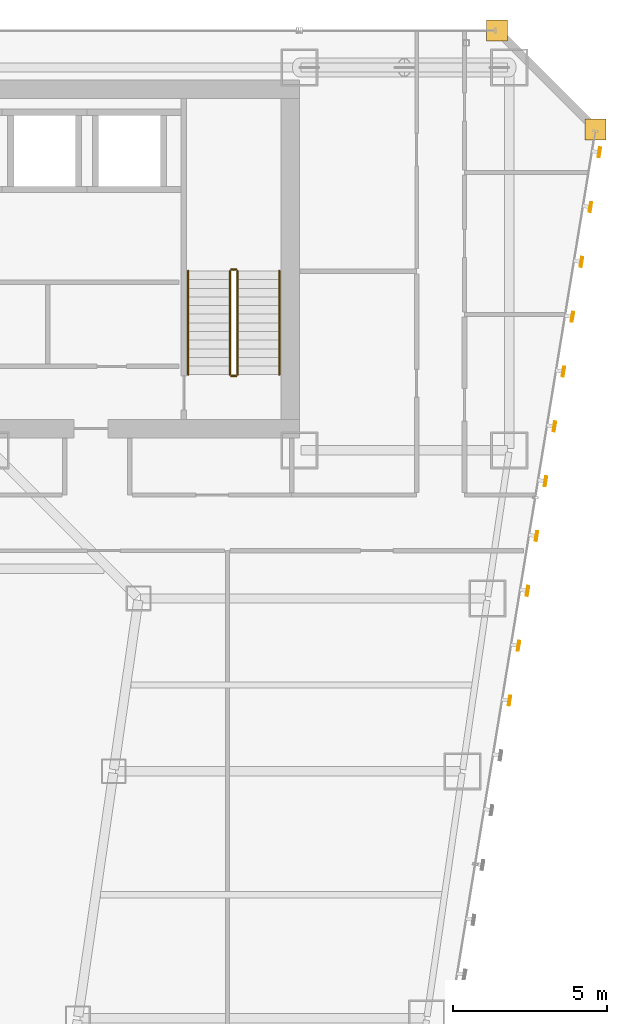
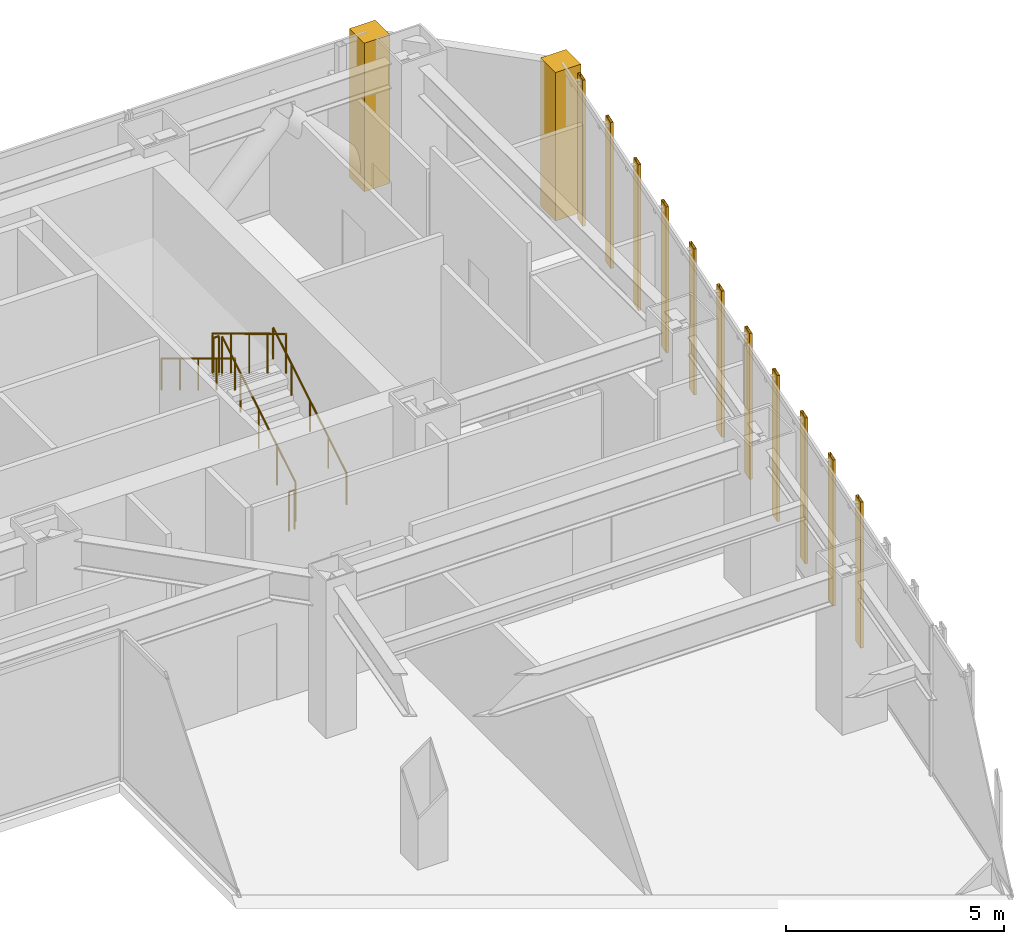
# One storey, part 47 of 47: 11 shading devices, 6 railings, 2 coverings.
"""IFC4 building model written with IfcOpenShell, lengths in metres."""

from ifc_helpers import new_model, si_unit, direction, frame, origin, origin_2d, place, context, subcontext, project, spatial, polyline, hollow_rectangle, circle, outline, extrude, material, layer, layer_set, material_profile, profile_set, type_object, element, save


model = new_model("IFC4")

# Units and contexts
model_context = context("Model", 3, precision=1e-05, world=origin(), true_north=direction((0.0, 1.0)))
body_context = subcontext(model_context, "Body", "Model", "MODEL_VIEW")
ifc_project = project(units=[si_unit("LENGTHUNIT", "METRE"), si_unit("AREAUNIT", "SQUARE_METRE"), si_unit("VOLUMEUNIT", "CUBIC_METRE"), si_unit("PLANEANGLEUNIT", "RADIAN"), si_unit("MASSUNIT", "GRAM", prefix="KILO")], contexts=[model_context])

# Site, building, storey
site_placement = place(None, origin())
site = spatial("IfcSite", under=ifc_project, at=site_placement, CompositionType="ELEMENT")
building_placement = place(site_placement, origin())
building = spatial("IfcBuilding", under=site, at=building_placement, Name="Saevonmaru Cultural Tower", CompositionType="ELEMENT")
storey_placement = place(building_placement, frame((0.0, 0.0, 51.60009765625)))
storey = spatial("IfcBuildingStorey", under=building, at=storey_placement, Name="L10", CompositionType="ELEMENT", Elevation=51.60009765625)

# Coverings
ifc_material_1 = material(Name="Satin Bronze Anodised Aluminium", Category="aluminium")
ifc_layer = layer(ifc_material_1, 0.679931640625, Name="Satin Bronze Anodised Aluminium")
ifc_layer_set = layer_set([ifc_layer], Name="Satin Bronze Anodised Aluminium")
covering_type = type_object("IfcCoveringType", Name="CV-CORNER-CLAD", PredefinedType="CLADDING", material=ifc_layer_set)
covering_1_placement = place(storey_placement, origin())
element("IfcCovering", 1, at=covering_1_placement, inside=storey, type_object=covering_type, Name="L10 Tower Bronze Corner Cladding Pier 9", PredefinedType="CLADDING", context=body_context, shape_type="SweptSolid", body=[
    extrude(outline(polyline([(55.659912109375, 52.4599609375), (56.340087890625, 52.4599609375), (56.340087890625, 53.139892578125), (55.659912109375, 53.139892578125), (55.659912109375, 52.4599609375)])), origin(), (0.0, 0.0, 1.0), 4.14990234375),
])
covering_2_placement = place(storey_placement, origin())
element("IfcCovering", 2, at=covering_2_placement, inside=storey, type_object=covering_type, Name="L10 Tower Bronze Corner Cladding Pier 10", PredefinedType="CLADDING", context=body_context, shape_type="SweptSolid", body=[
    extrude(outline(polyline([(52.4599609375, 55.659912109375), (53.139892578125, 55.659912109375), (53.139892578125, 56.340087890625), (52.4599609375, 56.340087890625), (52.4599609375, 55.659912109375)])), origin(), (0.0, 0.0, 1.0), 4.14990234375),
])

# Railings
ifc_material_2 = material(Name="Architectural Painted Steel", Category="steel")
railing_type_1 = type_object("IfcRailingType", Name="RL-STAIR-GUARD", PredefinedType="GUARDRAIL", material=ifc_material_2)
railing_1_placement = place(storey_placement, frame((44.39990234375, 44.85009765625, 0.169189453125)))
element("IfcRailing", 3, at=railing_1_placement, inside=storey, type_object=railing_type_1, Name="L10 ST-2 stair guard 1", PredefinedType="GUARDRAIL", context=body_context, shape_type="SweptSolid", body=[
    extrude(circle(Radius=0.02392578125, at=origin_2d()), frame((0.0, 0.0, 1.09619140625), z_axis=(0.0, 0.855820338506, 0.51727318527), x_axis=(-1.0, 0.0, 0.0)), (0.0, 0.0, 1.0), 3.92578125),
    extrude(circle(Radius=0.02099609375, at=origin_2d()), origin(), (0.0, 0.0, 1.0), 1.072021484375),
    extrude(circle(Radius=0.02099609375, at=origin_2d()), frame((0.0, 0.83984375, 0.5078125)), (0.0, 0.0, 1.0), 1.072021484375),
    extrude(circle(Radius=0.02099609375, at=origin_2d()), frame((0.0, 1.679931640625, 1.015380859375)), (0.0, 0.0, 1.0), 1.072021484375),
    extrude(circle(Radius=0.02099609375, at=origin_2d()), frame((0.0, 2.52001953125, 1.52294921875)), (0.0, 0.0, 1.0), 1.072021484375),
    extrude(circle(Radius=0.02099609375, at=origin_2d()), frame((0.0, 3.35986328125, 2.03076171875)), (0.0, 0.0, 1.0), 1.072021484375),
])
railing_2_placement = place(storey_placement, frame((44.35009765625, 48.260009765625, 2.199951171875)))
element("IfcRailing", 4, at=railing_2_placement, inside=storey, type_object=railing_type_1, Name="L10 ST-2 stair guard 2", PredefinedType="GUARDRAIL", context=body_context, shape_type="SweptSolid", body=[
    extrude(circle(Radius=0.02392578125, at=origin_2d()), frame((0.0, 0.0, 1.09619140625), z_axis=(-1.0, 0.0, 0.0), x_axis=(0.0, -1.0, 0.0)), (0.0, 0.0, 1.0), 0.150146484375),
    extrude(circle(Radius=0.02099609375, at=origin_2d()), origin(), (0.0, 0.0, 1.0), 1.072021484375),
    extrude(circle(Radius=0.02099609375, at=origin_2d()), frame((-0.150146484375, 0.0, 0.0)), (0.0, 0.0, 1.0), 1.072021484375),
])
railing_3_placement = place(storey_placement, frame((44.14990234375, 48.2099609375, 2.369140625)))
element("IfcRailing", 5, at=railing_3_placement, inside=storey, type_object=railing_type_1, Name="L10 ST-2 stair guard 3", PredefinedType="GUARDRAIL", context=body_context, shape_type="SweptSolid", body=[
    extrude(circle(Radius=0.02392578125, at=origin_2d()), frame((0.0, 0.0, 1.09619140625), z_axis=(0.0, -0.855820338506, 0.51727318527), x_axis=(1.0, 0.0, 0.0)), (0.0, 0.0, 1.0), 3.92578125),
    extrude(circle(Radius=0.02099609375, at=origin_2d()), origin(), (0.0, 0.0, 1.0), 1.072021484375),
    extrude(circle(Radius=0.02099609375, at=origin_2d()), frame((0.0, -0.83984375, 0.5078125)), (0.0, 0.0, 1.0), 1.072021484375),
    extrude(circle(Radius=0.02099609375, at=origin_2d()), frame((0.0, -1.679931640625, 1.015380859375)), (0.0, 0.0, 1.0), 1.072021484375),
    extrude(circle(Radius=0.02099609375, at=origin_2d()), frame((0.0, -2.52001953125, 1.52294921875)), (0.0, 0.0, 1.0), 1.072021484375),
    extrude(circle(Radius=0.02099609375, at=origin_2d()), frame((0.0, -3.35986328125, 2.03076171875)), (0.0, 0.0, 1.0), 1.072021484375),
])
railing_4_placement = place(storey_placement, frame((44.35009765625, 44.800048828125, 0.0)))
element("IfcRailing", 6, at=railing_4_placement, inside=storey, type_object=railing_type_1, Name="L10 ST-2 stair guard 4", PredefinedType="GUARDRAIL", context=body_context, shape_type="SweptSolid", body=[
    extrude(circle(Radius=0.02392578125, at=origin_2d()), frame((0.0, 0.0, 1.09619140625), z_axis=(-1.0, 0.0, 0.0), x_axis=(0.0, -1.0, 0.0)), (0.0, 0.0, 1.0), 0.150146484375),
    extrude(circle(Radius=0.02099609375, at=origin_2d()), origin(), (0.0, 0.0, 1.0), 1.072021484375),
    extrude(circle(Radius=0.02099609375, at=origin_2d()), frame((-0.150146484375, 0.0, 0.0)), (0.0, 0.0, 1.0), 1.072021484375),
])
railing_type_2 = type_object("IfcRailingType", Name="RL-STAIR-HANDRAIL", PredefinedType="HANDRAIL", material=ifc_material_1)
railing_5_placement = place(storey_placement, frame((45.75, 44.85009765625, 0.169189453125)))
element("IfcRailing", 7, at=railing_5_placement, inside=storey, type_object=railing_type_2, Name="L10 ST-2 stair handrail 1", PredefinedType="HANDRAIL", context=body_context, shape_type="SweptSolid", body=[
    extrude(circle(Radius=0.02392578125, at=origin_2d()), frame((0.0, 0.0, 0.8759765625), z_axis=(0.0, 0.855820338506, 0.51727318527), x_axis=(-1.0, 0.0, 0.0)), (0.0, 0.0, 1.0), 3.92578125),
    extrude(circle(Radius=0.02099609375, at=origin_2d()), origin(), (0.0, 0.0, 1.0), 0.851806640625),
    extrude(circle(Radius=0.02099609375, at=origin_2d()), frame((0.0, 0.83984375, 0.5078125)), (0.0, 0.0, 1.0), 0.851806640625),
    extrude(circle(Radius=0.02099609375, at=origin_2d()), frame((0.0, 1.679931640625, 1.015380859375)), (0.0, 0.0, 1.0), 0.851806640625),
    extrude(circle(Radius=0.02099609375, at=origin_2d()), frame((0.0, 2.52001953125, 1.52294921875)), (0.0, 0.0, 1.0), 0.851806640625),
    extrude(circle(Radius=0.02099609375, at=origin_2d()), frame((0.0, 3.35986328125, 2.03076171875)), (0.0, 0.0, 1.0), 0.851806640625),
])
railing_6_placement = place(storey_placement, frame((42.800048828125, 48.2099609375, 2.369140625)))
element("IfcRailing", 8, at=railing_6_placement, inside=storey, type_object=railing_type_2, Name="L10 ST-2 stair handrail 2", PredefinedType="HANDRAIL", context=body_context, shape_type="SweptSolid", body=[
    extrude(circle(Radius=0.02392578125, at=origin_2d()), frame((0.0, 0.0, 0.8759765625), z_axis=(0.0, -0.855820338506, 0.51727318527), x_axis=(1.0, 0.0, 0.0)), (0.0, 0.0, 1.0), 3.92578125),
    extrude(circle(Radius=0.02099609375, at=origin_2d()), origin(), (0.0, 0.0, 1.0), 0.851806640625),
    extrude(circle(Radius=0.02099609375, at=origin_2d()), frame((0.0, -0.83984375, 0.5078125)), (0.0, 0.0, 1.0), 0.851806640625),
    extrude(circle(Radius=0.02099609375, at=origin_2d()), frame((0.0, -1.679931640625, 1.015380859375)), (0.0, 0.0, 1.0), 0.851806640625),
    extrude(circle(Radius=0.02099609375, at=origin_2d()), frame((0.0, -2.52001953125, 1.52294921875)), (0.0, 0.0, 1.0), 0.851806640625),
    extrude(circle(Radius=0.02099609375, at=origin_2d()), frame((0.0, -3.35986328125, 2.03076171875)), (0.0, 0.0, 1.0), 0.851806640625),
])

# Shading devices
ifc_material_profile = material_profile(ifc_material_1, hollow_rectangle(XDim=0.070068359375, YDim=0.320068359375, WallThickness=0.0048828125, at=origin_2d()), Name="FIN-320x70")
ifc_profile_set = profile_set([ifc_material_profile], Name="Satin Bronze Anodised Aluminium")
shading_device_type = type_object("IfcShadingDeviceType", Name="SHD-FIN-320", PredefinedType="JALOUSIE", material=ifc_profile_set)
for number, where, z_axis, x_axis, name in (
    (9, (53.210205078125, 34.2900390625, 0.0498046875), (0.0, 0.0, 1.0), (0.986827496189, -0.161776057456, 0.0), "L10 Art Deco Sawtooth Bronze Fin E8-17"),
    (10, (53.501220703125, 36.06640625, 0.0498046875), (0.0, 0.0, 1.0), (0.986827496189, -0.161776057456, 0.0), "L10 Art Deco Sawtooth Bronze Fin E8-18"),
    (11, (53.792236328125, 37.8427734375, 0.0498046875), (0.0, 0.0, 1.0), (0.986827496189, -0.161776057456, 0.0), "L10 Art Deco Sawtooth Bronze Fin E8-19"),
    (12, (54.083251953125, 39.618896484375, 0.0498046875), (0.0, 0.0, 1.0), (0.986827496189, -0.161776057456, 0.0), "L10 Art Deco Sawtooth Bronze Fin E8-20"),
    (13, (54.37451171875, 41.3955078125, 0.0498046875), (0.0, 0.0, 1.0), (0.986827496189, -0.161776057456, 0.0), "L10 Art Deco Sawtooth Bronze Fin E8-21"),
    (14, (54.665283203125, 43.171630859375, 0.0498046875), (0.0, 0.0, 1.0), (0.986827496189, -0.161776057456, 0.0), "L10 Art Deco Sawtooth Bronze Fin E8-22"),
    (15, (54.95654296875, 44.947998046875, 0.0498046875), (0.0, 0.0, 1.0), (0.986827496189, -0.161776057456, 0.0), "L10 Art Deco Sawtooth Bronze Fin E8-23"),
    (16, (55.24755859375, 46.724365234375, 0.0498046875), (0.0, 0.0, 1.0), (0.986827496189, -0.161776057456, 0.0), "L10 Art Deco Sawtooth Bronze Fin E8-24"),
    (17, (55.538818359375, 48.50048828125, 0.0498046875), (0.0, 0.0, 1.0), (0.986827496189, -0.161776057456, 0.0), "L10 Art Deco Sawtooth Bronze Fin E8-25"),
    (18, (55.829833984375, 50.27685546875, 0.0498046875), (0.0, 0.0, 1.0), (0.986827496189, -0.161776057456, 0.0), "L10 Art Deco Sawtooth Bronze Fin E8-26"),
    (19, (56.120849609375, 52.05322265625, 0.0498046875), (0.0, 0.0, 1.0), (0.986827496189, -0.161776057456, 0.0), "L10 Art Deco Sawtooth Bronze Fin E8-27"),
):
    element("IfcShadingDevice", number, at=place(storey_placement, frame(where, z_axis=z_axis, x_axis=x_axis)), inside=storey, type_object=shading_device_type, Name=name, PredefinedType="JALOUSIE", context=body_context, shape_type="SweptSolid", body=[
        extrude(hollow_rectangle(XDim=0.070068359375, YDim=0.320068359375, WallThickness=0.0048828125, at=origin_2d()), origin(), (0.0, 0.0, 1.0), 4.080078125),
    ])

save(model, "model.ifc")
